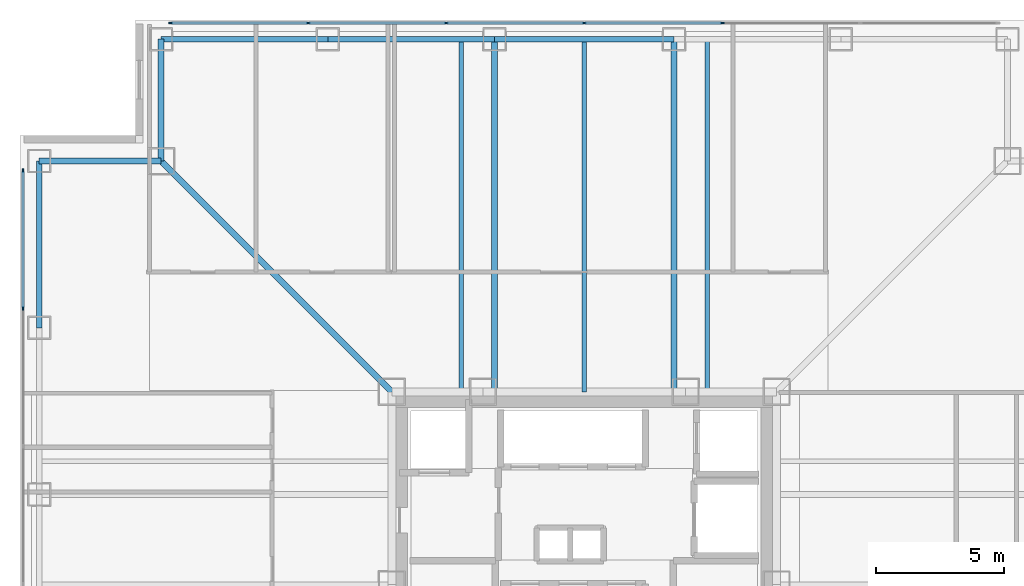
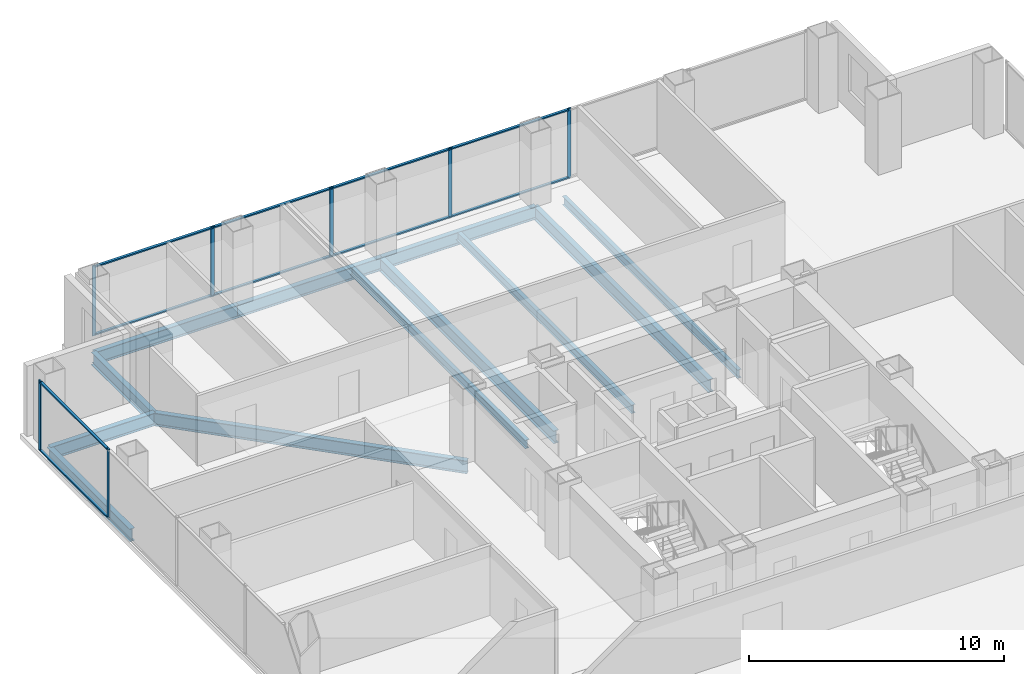
# One storey, part 7 of 14: 17 members, 12 beams, 2 elements without a shape of their own.
"""IFC4 building model written with IfcOpenShell, lengths in metres."""

from ifc_helpers import new_model, si_unit, direction, frame, origin, origin_2d, place, context, subcontext, project, spatial, rectangle, i_section, extrude, material, layer, layer_set, material_profile, profile_set, type_object, element, aggregate, save


model = new_model("IFC4")

# Units and contexts
model_context = context("Model", 3, precision=1e-05, world=origin(), true_north=direction((0.0, 1.0)))
body_context = subcontext(model_context, "Body", "Model", "MODEL_VIEW")
ifc_project = project(units=[si_unit("LENGTHUNIT", "METRE"), si_unit("AREAUNIT", "SQUARE_METRE"), si_unit("VOLUMEUNIT", "CUBIC_METRE"), si_unit("PLANEANGLEUNIT", "RADIAN"), si_unit("MASSUNIT", "GRAM", prefix="KILO")], contexts=[model_context])

# Site, building, storey
site_placement = place(None, origin())
site = spatial("IfcSite", under=ifc_project, at=site_placement, CompositionType="ELEMENT")
building_placement = place(site_placement, origin())
building = spatial("IfcBuilding", under=site, at=building_placement, Name="Trevonay Congress Spire", CompositionType="ELEMENT")
storey_placement = place(building_placement, frame((0.0, 0.0, 140.800048828125)))
storey = spatial("IfcBuildingStorey", under=building, at=storey_placement, Name="L36", CompositionType="ELEMENT", Elevation=140.800048828125)

# Beams
ifc_material_1 = material(Name="Steel ASTM A572 Grade 50", Category="steel")
ifc_material_profile_1 = material_profile(ifc_material_1, i_section(OverallWidth=0.22998046875, OverallDepth=0.616943359375, WebThickness=0.01318359375, FlangeThickness=0.022216796875, FilletRadius=0.01611328125, at=origin_2d()), Name="W610x140")
ifc_profile_set_1 = profile_set([ifc_material_profile_1], Name="Steel ASTM A572 Grade 50")
beam_type_1 = type_object("IfcBeamType", Name="BM-GIRD-W610X140", PredefinedType="BEAM", material=ifc_profile_set_1)
beam_1_placement = place(storey_placement, frame((-7.5, 7.5, -0.548583984375), z_axis=(-0.707106781187, 0.707106781187, 0.0), x_axis=(-0.707106781187, -0.707106781187, 0.0)))
element("IfcBeam", 1, at=beam_1_placement, inside=storey, type_object=beam_type_1, Name="L36 structural beam BM-L36-CDNW", PredefinedType="BEAM", context=body_context, shape_type="SweptSolid", body=[
    extrude(i_section(OverallWidth=0.22998046875, OverallDepth=0.616943359375, WebThickness=0.01318359375, FlangeThickness=0.022216796875, FilletRadius=0.01611328125, at=origin_2d()), origin(), (0.0, 0.0, 1.0), 12.72802734375),
])
for number, where, z_axis, x_axis, name in (
    (2, (-3.5, 7.5, -0.548583984375), (0.0, 1.0, 0.0), (-1.0, 0.0, 0.0), "L36 structural beam BM-L36-GN-M"),
    (3, (3.5, 7.5, -0.548583984375), (0.0, 1.0, 0.0), (-1.0, 0.0, 0.0), "L36 structural beam BM-L36-GN-P"),
):
    element("IfcBeam", number, at=place(storey_placement, frame(where, z_axis=z_axis, x_axis=x_axis)), inside=storey, type_object=beam_type_1, Name=name, PredefinedType="BEAM", context=body_context, shape_type="SweptSolid", body=[
        extrude(i_section(OverallWidth=0.22998046875, OverallDepth=0.616943359375, WebThickness=0.01318359375, FlangeThickness=0.022216796875, FilletRadius=0.01611328125, at=origin_2d()), origin(), (0.0, 0.0, 1.0), 13.75),
    ])
ifc_material_profile_2 = material_profile(ifc_material_1, i_section(OverallWidth=0.22802734375, OverallDepth=0.60791015625, WebThickness=0.01123046875, FlangeThickness=0.017333984375, FilletRadius=0.01611328125, at=origin_2d()), Name="W610x113")
ifc_profile_set_2 = profile_set([ifc_material_profile_2], Name="Steel ASTM A572 Grade 50")
beam_type_2 = type_object("IfcBeamType", Name="BM-RING-W610X113", PredefinedType="BEAM", material=ifc_profile_set_2)
for number, where, z_axis, x_axis, name in (
    (4, (-16.5, 21.25, -0.5439453125), (1.0, 0.0, 0.0), (0.0, 1.0, 0.0), "L36 structural beam BM-L36-PN1"),
    (5, (-10.0, 21.25, -0.5439453125), (1.0, 0.0, 0.0), (0.0, 1.0, 0.0), "L36 structural beam BM-L36-PN2"),
):
    element("IfcBeam", number, at=place(storey_placement, frame(where, z_axis=z_axis, x_axis=x_axis)), inside=storey, type_object=beam_type_2, Name=name, PredefinedType="BEAM", context=body_context, shape_type="SweptSolid", body=[
        extrude(i_section(OverallWidth=0.22802734375, OverallDepth=0.60791015625, WebThickness=0.01123046875, FlangeThickness=0.017333984375, FilletRadius=0.01611328125, at=origin_2d()), origin(), (0.0, 0.0, 1.0), 6.5),
    ])
beam_2_placement = place(storey_placement, frame((-3.5, 21.25, -0.5439453125), z_axis=(1.0, 0.0, 0.0), x_axis=(0.0, 1.0, 0.0)))
element("IfcBeam", 6, at=beam_2_placement, inside=storey, type_object=beam_type_2, Name="L36 structural beam BM-L36-PN3", PredefinedType="BEAM", context=body_context, shape_type="SweptSolid", body=[
    extrude(i_section(OverallWidth=0.22802734375, OverallDepth=0.60791015625, WebThickness=0.01123046875, FlangeThickness=0.017333984375, FilletRadius=0.01611328125, at=origin_2d()), origin(), (0.0, 0.0, 1.0), 7.0),
])
beam_3_placement = place(storey_placement, frame((-21.25, 10.0, -0.5439453125), z_axis=(0.0, 1.0, 0.0), x_axis=(-1.0, 0.0, 0.0)))
element("IfcBeam", 7, at=beam_3_placement, inside=storey, type_object=beam_type_2, Name="L36 structural beam BM-L36-PW5", PredefinedType="BEAM", context=body_context, shape_type="SweptSolid", body=[
    extrude(i_section(OverallWidth=0.22802734375, OverallDepth=0.60791015625, WebThickness=0.01123046875, FlangeThickness=0.017333984375, FilletRadius=0.01611328125, at=origin_2d()), origin(), (0.0, 0.0, 1.0), 6.5),
])
for number, where, z_axis, x_axis, name in (
    (8, (-16.5, 21.25, -0.5439453125), (0.0, -1.0, 0.0), (1.0, 0.0, 0.0), "L36 structural beam BM-L36-N1NW"),
    (9, (-21.25, 16.5, -0.5439453125), (1.0, 0.0, 0.0), (0.0, 1.0, 0.0), "L36 structural beam BM-L36-N2NW"),
):
    element("IfcBeam", number, at=place(storey_placement, frame(where, z_axis=z_axis, x_axis=x_axis)), inside=storey, type_object=beam_type_2, Name=name, PredefinedType="BEAM", context=body_context, shape_type="SweptSolid", body=[
        extrude(i_section(OverallWidth=0.22802734375, OverallDepth=0.60791015625, WebThickness=0.01123046875, FlangeThickness=0.017333984375, FilletRadius=0.01611328125, at=origin_2d()), origin(), (0.0, 0.0, 1.0), 4.75),
    ])

# Curtain wall, members
ifc_material_2 = material(Name="Pale Anodised Aluminium EN AW-6063-T6", Category="aluminium")
ifc_layer = layer(ifc_material_2, 0.175048828125, Name="Pale Anodised Aluminium EN AW-6063-T6")
ifc_layer_set = layer_set([ifc_layer], Name="Pale Anodised Aluminium EN AW-6063-T6")
curtain_wall_type = type_object("IfcCurtainWallType", Name="CW-SYS03-CONGRESS-PALE-METAL", PredefinedType="NOTDEFINED", material=ifc_layer_set)
curtain_wall_1_placement = place(storey_placement, origin())
curtain_wall_1 = element("IfcCurtainWall", 10, at=curtain_wall_1_placement, inside=storey, type_object=curtain_wall_type, Name="L36 N unitised curtain wall", PredefinedType="NOTDEFINED")
ifc_material_profile_3 = material_profile(ifc_material_2, rectangle(XDim=0.06005859375, YDim=0.159912109375, at=origin_2d()), Name="CW-MULLION-160-ALUMINIUM")
ifc_profile_set_3 = profile_set([ifc_material_profile_3], Name="Pale Anodised Aluminium EN AW-6063-T6")
member_type_1 = type_object("IfcMemberType", Name="CW-MULLION-160-ALUMINIUM", PredefinedType="MULLION", material=ifc_profile_set_3)
member_1_placement = place(storey_placement, frame((-16.1201171875, 21.8798828125, 0.0), z_axis=(0.0, 0.0, 1.0), x_axis=(0.0, 1.0, 0.0)))
member_1 = element("IfcMember", 11, at=member_1_placement, type_object=member_type_1, Name="CW03 mullion 1", PredefinedType="MULLION", context=body_context, shape_type="SweptSolid", body=[
    extrude(rectangle(XDim=0.06005859375, YDim=0.159912109375, at=origin_2d()), origin(), (0.0, 0.0, 1.0), 3.35986328125),
])
member_2_placement = place(storey_placement, frame((-10.7666015625, 21.8798828125, 0.0), z_axis=(0.0, 0.0, 1.0), x_axis=(0.0, 1.0, 0.0)))
member_2 = element("IfcMember", 12, at=member_2_placement, type_object=member_type_1, Name="CW03 mullion 2", PredefinedType="MULLION", context=body_context, shape_type="SweptSolid", body=[
    extrude(rectangle(XDim=0.06005859375, YDim=0.159912109375, at=origin_2d()), origin(), (0.0, 0.0, 1.0), 3.35986328125),
])
member_3_placement = place(storey_placement, frame((-5.38330078125, 21.8798828125, 0.0), z_axis=(0.0, 0.0, 1.0), x_axis=(0.0, 1.0, 0.0)))
member_3 = element("IfcMember", 13, at=member_3_placement, type_object=member_type_1, Name="CW03 mullion 3", PredefinedType="MULLION", context=body_context, shape_type="SweptSolid", body=[
    extrude(rectangle(XDim=0.06005859375, YDim=0.159912109375, at=origin_2d()), origin(), (0.0, 0.0, 1.0), 3.35986328125),
])
member_4_placement = place(storey_placement, frame((0.0, 21.8798828125, 0.0), z_axis=(0.0, 0.0, 1.0), x_axis=(0.0, 1.0, 0.0)))
member_4 = element("IfcMember", 14, at=member_4_placement, type_object=member_type_1, Name="CW03 mullion 4", PredefinedType="MULLION", context=body_context, shape_type="SweptSolid", body=[
    extrude(rectangle(XDim=0.06005859375, YDim=0.159912109375, at=origin_2d()), origin(), (0.0, 0.0, 1.0), 3.35986328125),
])
member_5_placement = place(storey_placement, frame((5.38330078125, 21.8798828125, 0.0), z_axis=(0.0, 0.0, 1.0), x_axis=(0.0, 1.0, 0.0)))
member_5 = element("IfcMember", 15, at=member_5_placement, type_object=member_type_1, Name="CW03 mullion 5", PredefinedType="MULLION", context=body_context, shape_type="SweptSolid", body=[
    extrude(rectangle(XDim=0.06005859375, YDim=0.159912109375, at=origin_2d()), origin(), (0.0, 0.0, 1.0), 3.35986328125),
])

curtain_wall_2_placement = place(storey_placement, origin())
curtain_wall_2 = element("IfcCurtainWall", 16, at=curtain_wall_2_placement, inside=storey, type_object=curtain_wall_type, Name="L36 W unitised curtain wall", PredefinedType="NOTDEFINED")
member_6_placement = place(storey_placement, frame((-21.8798828125, 10.7666015625, 0.0), z_axis=(0.0, 0.0, 1.0), x_axis=(-1.0, 0.0, 0.0)))
member_6 = element("IfcMember", 17, at=member_6_placement, type_object=member_type_1, Name="CW03 mullion 6", PredefinedType="MULLION", context=body_context, shape_type="SweptSolid", body=[
    extrude(rectangle(XDim=0.06005859375, YDim=0.159912109375, at=origin_2d()), origin(), (0.0, 0.0, 1.0), 3.35986328125),
])
member_7_placement = place(storey_placement, frame((-21.8798828125, 16.1201171875, 0.0), z_axis=(0.0, 0.0, 1.0), x_axis=(-1.0, 0.0, 0.0)))
member_7 = element("IfcMember", 18, at=member_7_placement, type_object=member_type_1, Name="CW03 mullion 7", PredefinedType="MULLION", context=body_context, shape_type="SweptSolid", body=[
    extrude(rectangle(XDim=0.06005859375, YDim=0.159912109375, at=origin_2d()), origin(), (0.0, 0.0, 1.0), 3.35986328125),
])

# Member
ifc_material_profile_4 = material_profile(ifc_material_2, rectangle(XDim=0.1201171875, YDim=0.06005859375, at=origin_2d()), Name="CW-TRANSOM-120-ALUMINIUM")
ifc_profile_set_4 = profile_set([ifc_material_profile_4], Name="Pale Anodised Aluminium EN AW-6063-T6")
member_type_2 = type_object("IfcMemberType", Name="CW-TRANSOM-120-ALUMINIUM", PredefinedType="USERDEFINED", material=ifc_profile_set_4)
member_8_placement = place(storey_placement, frame((-16.090087890625, 21.8798828125, 0.06005859375), z_axis=(1.0, 0.0, 0.0), x_axis=(0.0, 1.0, 0.0)))
member_8 = element("IfcMember", 19, at=member_8_placement, type_object=member_type_2, Name="CW03 transom 1.1", ObjectType="TRANSOM", PredefinedType="USERDEFINED", context=body_context, shape_type="SweptSolid", body=[
    extrude(rectangle(XDim=0.1201171875, YDim=0.06005859375, at=origin_2d()), origin(), (0.0, 0.0, 1.0), 5.29345703125),
])

member_9_placement = place(storey_placement, frame((-16.090087890625, 21.8798828125, 3.300048828125), z_axis=(1.0, 0.0, 0.0), x_axis=(0.0, 1.0, 0.0)))
member_9 = element("IfcMember", 20, at=member_9_placement, type_object=member_type_2, Name="CW03 transom 1.2", ObjectType="TRANSOM", PredefinedType="USERDEFINED", context=body_context, shape_type="SweptSolid", body=[
    extrude(rectangle(XDim=0.1201171875, YDim=0.06005859375, at=origin_2d()), origin(), (0.0, 0.0, 1.0), 5.29345703125),
])

member_10_placement = place(storey_placement, frame((-10.736572265625, 21.8798828125, 0.06005859375), z_axis=(1.0, 0.0, 0.0), x_axis=(0.0, 1.0, 0.0)))
member_10 = element("IfcMember", 21, at=member_10_placement, type_object=member_type_2, Name="CW03 transom 2.1", ObjectType="TRANSOM", PredefinedType="USERDEFINED", context=body_context, shape_type="SweptSolid", body=[
    extrude(rectangle(XDim=0.1201171875, YDim=0.06005859375, at=origin_2d()), origin(), (0.0, 0.0, 1.0), 5.3232421875),
])

member_11_placement = place(storey_placement, frame((-10.736572265625, 21.8798828125, 3.300048828125), z_axis=(1.0, 0.0, 0.0), x_axis=(0.0, 1.0, 0.0)))
member_11 = element("IfcMember", 22, at=member_11_placement, type_object=member_type_2, Name="CW03 transom 2.2", ObjectType="TRANSOM", PredefinedType="USERDEFINED", context=body_context, shape_type="SweptSolid", body=[
    extrude(rectangle(XDim=0.1201171875, YDim=0.06005859375, at=origin_2d()), origin(), (0.0, 0.0, 1.0), 5.3232421875),
])

member_12_placement = place(storey_placement, frame((-5.353271484375, 21.8798828125, 0.06005859375), z_axis=(1.0, 0.0, 0.0), x_axis=(0.0, 1.0, 0.0)))
member_12 = element("IfcMember", 23, at=member_12_placement, type_object=member_type_2, Name="CW03 transom 3.1", ObjectType="TRANSOM", PredefinedType="USERDEFINED", context=body_context, shape_type="SweptSolid", body=[
    extrude(rectangle(XDim=0.1201171875, YDim=0.06005859375, at=origin_2d()), origin(), (0.0, 0.0, 1.0), 5.3232421875),
])

member_13_placement = place(storey_placement, frame((-5.353271484375, 21.8798828125, 3.300048828125), z_axis=(1.0, 0.0, 0.0), x_axis=(0.0, 1.0, 0.0)))
member_13 = element("IfcMember", 24, at=member_13_placement, type_object=member_type_2, Name="CW03 transom 3.2", ObjectType="TRANSOM", PredefinedType="USERDEFINED", context=body_context, shape_type="SweptSolid", body=[
    extrude(rectangle(XDim=0.1201171875, YDim=0.06005859375, at=origin_2d()), origin(), (0.0, 0.0, 1.0), 5.3232421875),
])

member_14_placement = place(storey_placement, frame((0.030029296875, 21.8798828125, 0.06005859375), z_axis=(1.0, 0.0, 0.0), x_axis=(0.0, 1.0, 0.0)))
member_14 = element("IfcMember", 25, at=member_14_placement, type_object=member_type_2, Name="CW03 transom 4.1", ObjectType="TRANSOM", PredefinedType="USERDEFINED", context=body_context, shape_type="SweptSolid", body=[
    extrude(rectangle(XDim=0.1201171875, YDim=0.06005859375, at=origin_2d()), origin(), (0.0, 0.0, 1.0), 5.3232421875),
])

member_15_placement = place(storey_placement, frame((0.030029296875, 21.8798828125, 3.300048828125), z_axis=(1.0, 0.0, 0.0), x_axis=(0.0, 1.0, 0.0)))
member_15 = element("IfcMember", 26, at=member_15_placement, type_object=member_type_2, Name="CW03 transom 4.2", ObjectType="TRANSOM", PredefinedType="USERDEFINED", context=body_context, shape_type="SweptSolid", body=[
    extrude(rectangle(XDim=0.1201171875, YDim=0.06005859375, at=origin_2d()), origin(), (0.0, 0.0, 1.0), 5.3232421875),
])

aggregate(curtain_wall_1, [member_1, member_2, member_3, member_4, member_5, member_8, member_9, member_10, member_11, member_12, member_13, member_14, member_15])

member_16_placement = place(storey_placement, frame((-21.8798828125, 10.796630859375, 0.06005859375), z_axis=(0.0, 1.0, 0.0), x_axis=(-1.0, 0.0, 0.0)))
member_16 = element("IfcMember", 27, at=member_16_placement, type_object=member_type_2, Name="CW03 transom 6.1", ObjectType="TRANSOM", PredefinedType="USERDEFINED", context=body_context, shape_type="SweptSolid", body=[
    extrude(rectangle(XDim=0.1201171875, YDim=0.06005859375, at=origin_2d()), origin(), (0.0, 0.0, 1.0), 5.29345703125),
])

member_17_placement = place(storey_placement, frame((-21.8798828125, 10.796630859375, 3.300048828125), z_axis=(0.0, 1.0, 0.0), x_axis=(-1.0, 0.0, 0.0)))
member_17 = element("IfcMember", 28, at=member_17_placement, type_object=member_type_2, Name="CW03 transom 6.2", ObjectType="TRANSOM", PredefinedType="USERDEFINED", context=body_context, shape_type="SweptSolid", body=[
    extrude(rectangle(XDim=0.1201171875, YDim=0.06005859375, at=origin_2d()), origin(), (0.0, 0.0, 1.0), 5.29345703125),
])

aggregate(curtain_wall_2, [member_6, member_7, member_16, member_17])

# Beams
ifc_material_profile_5 = material_profile(ifc_material_1, i_section(OverallWidth=0.177978515625, OverallDepth=0.406982421875, WebThickness=0.0078125, FlangeThickness=0.0126953125, FilletRadius=0.012939453125, at=origin_2d()), Name="W410x60")
ifc_profile_set_5 = profile_set([ifc_material_profile_5], Name="Steel ASTM A572 Grade 50")
beam_type_3 = type_object("IfcBeamType", Name="JS-COMP-W410X60", PredefinedType="JOIST", material=ifc_profile_set_5)
for number, where, z_axis, x_axis, name in (
    (29, (-4.800048828125, 7.5, -0.443603515625), (0.0, 1.0, 0.0), (-1.0, 0.0, 0.0), "L36 structural beam JS-L36-NS-N1"),
    (30, (0.0, 7.5, -0.443603515625), (0.0, 1.0, 0.0), (-1.0, 0.0, 0.0), "L36 structural beam JS-L36-NS-N2"),
    (31, (4.800048828125, 7.5, -0.443603515625), (0.0, 1.0, 0.0), (-1.0, 0.0, 0.0), "L36 structural beam JS-L36-NS-N3"),
):
    element("IfcBeam", number, at=place(storey_placement, frame(where, z_axis=z_axis, x_axis=x_axis)), inside=storey, type_object=beam_type_3, Name=name, PredefinedType="JOIST", context=body_context, shape_type="SweptSolid", body=[
        extrude(i_section(OverallWidth=0.177978515625, OverallDepth=0.406982421875, WebThickness=0.0078125, FlangeThickness=0.0126953125, FilletRadius=0.012939453125, at=origin_2d()), origin(), (0.0, 0.0, 1.0), 13.75),
    ])

save(model, "model.ifc")
